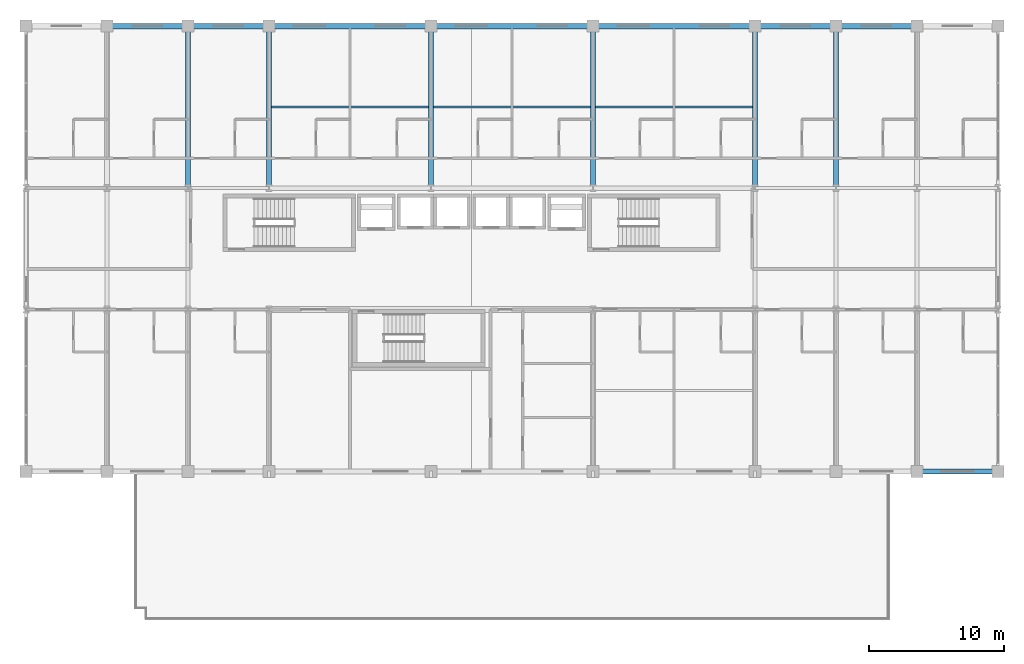
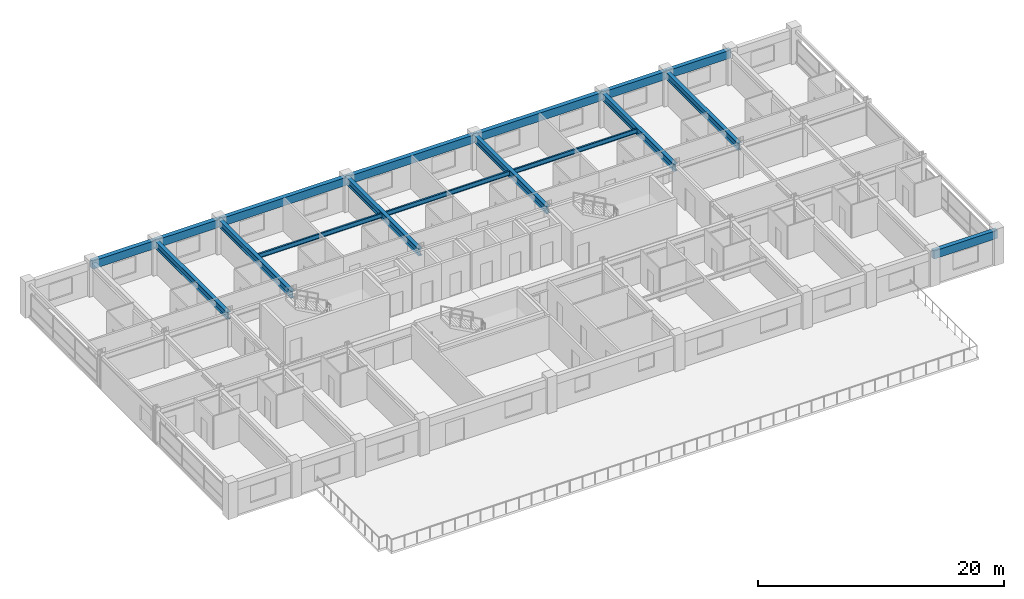
# One storey, part 11 of 24: 17 beams.
"""IFC4 building model written with IfcOpenShell, lengths in metres."""

from ifc_helpers import new_model, si_unit, direction, frame, origin, origin_2d, place, context, subcontext, project, spatial, rectangle, i_section, extrude, material, material_profile, profile_set, type_object, element, save


model = new_model("IFC4")

# Units and contexts
model_context = context("Model", 3, precision=1e-05, world=origin(), true_north=direction((0.0, 1.0)))
body_context = subcontext(model_context, "Body", "Model", "MODEL_VIEW")
ifc_project = project(units=[si_unit("LENGTHUNIT", "METRE"), si_unit("AREAUNIT", "SQUARE_METRE"), si_unit("VOLUMEUNIT", "CUBIC_METRE"), si_unit("PLANEANGLEUNIT", "RADIAN"), si_unit("MASSUNIT", "GRAM", prefix="KILO")], contexts=[model_context])

# Site, building, storey
site_placement = place(None, origin())
site = spatial("IfcSite", under=ifc_project, at=site_placement, CompositionType="ELEMENT")
building_placement = place(site_placement, origin())
building = spatial("IfcBuilding", under=site, at=building_placement, Name="Kaldorvane Square Convention Centre", CompositionType="ELEMENT")
storey_placement = place(building_placement, frame((0.0, 0.0, 27.600006103515625)))
storey = spatial("IfcBuildingStorey", under=building, at=storey_placement, Name="L05", CompositionType="ELEMENT", Elevation=27.600006103515625)

# Beams
ifc_material_1 = material(Name="Steel ASTM A992 Gr. 50", Category="steel")
ifc_material_profile_1 = material_profile(ifc_material_1, i_section(OverallWidth=0.354705810546875, OverallDepth=0.69549560546875, WebThickness=0.0153961181640625, FlangeThickness=0.0251007080078125, FilletRadius=0.01519775390625, at=origin_2d()), Name="W27X146")
ifc_profile_set_1 = profile_set([ifc_material_profile_1], Name="Steel ASTM A992 Gr. 50")
beam_type_1 = type_object("IfcBeamType", Name="BM-GR-W27X146", PredefinedType="BEAM", material=ifc_profile_set_1)
for number, where, z_axis, x_axis, name in (
    (1, (36.0, 105.0, 2.93829345703125), (0.0, 1.0, 0.0), (-1.0, 0.0, 0.0), "Transverse Girder (L05)"),
    (2, (42.0, 105.0, 2.93829345703125), (0.0, 1.0, 0.0), (-1.0, 0.0, 0.0), "Transverse Girder (L05)"),
    (3, (54.0, 105.0, 2.93829345703125), (0.0, 1.0, 0.0), (-1.0, 0.0, 0.0), "Transverse Girder (L05)"),
    (4, (66.0, 105.0, 2.93829345703125), (0.0, 1.0, 0.0), (-1.0, 0.0, 0.0), "Transverse Girder (L05)"),
    (5, (78.0, 105.0, 2.93829345703125), (0.0, 1.0, 0.0), (-1.0, 0.0, 0.0), "Transverse Girder (L05)"),
    (6, (84.0, 105.0, 2.93829345703125), (0.0, 1.0, 0.0), (-1.0, 0.0, 0.0), "Transverse Girder (L05)"),
):
    element("IfcBeam", number, at=place(storey_placement, frame(where, z_axis=z_axis, x_axis=x_axis)), inside=storey, type_object=beam_type_1, Name=name, PredefinedType="BEAM", context=body_context, shape_type="SweptSolid", body=[
        extrude(i_section(OverallWidth=0.354705810546875, OverallDepth=0.69549560546875, WebThickness=0.0153961181640625, FlangeThickness=0.0251007080078125, FilletRadius=0.01519775390625, at=origin_2d()), origin(), (0.0, 0.0, 1.0), 12.0),
    ])
ifc_material_profile_2 = material_profile(ifc_material_1, i_section(OverallWidth=0.152801513671875, OverallDepth=0.4546966552734375, WebThickness=0.00799560546875, FlangeThickness=0.0133056640625, FilletRadius=0.01019287109375, at=origin_2d()), Name="W18X40")
ifc_profile_set_2 = profile_set([ifc_material_profile_2], Name="Steel ASTM A992 Gr. 50")
beam_type_2 = type_object("IfcBeamType", Name="BM-JS-W18X40", PredefinedType="JOIST", material=ifc_profile_set_2)
beam_1_placement = place(storey_placement, frame((42.17730712890625, 111.0, 3.0587005615234375), z_axis=(1.0, 0.0, 0.0), x_axis=(0.0, 1.0, 0.0)))
element("IfcBeam", 7, at=beam_1_placement, inside=storey, type_object=beam_type_2, Name="Secondary Floor Joist (L05)", PredefinedType="JOIST", context=body_context, shape_type="SweptSolid", body=[
    extrude(i_section(OverallWidth=0.152801513671875, OverallDepth=0.4546966552734375, WebThickness=0.00799560546875, FlangeThickness=0.0133056640625, FilletRadius=0.01019287109375, at=origin_2d()), origin(), (0.0, 0.0, 1.0), 11.6453857421875),
])
beam_2_placement = place(storey_placement, frame((54.17730712890625, 111.0, 3.0587005615234375), z_axis=(1.0, 0.0, 0.0), x_axis=(0.0, 1.0, 0.0)))
element("IfcBeam", 8, at=beam_2_placement, inside=storey, type_object=beam_type_2, Name="Secondary Floor Joist (L05)", PredefinedType="JOIST", context=body_context, shape_type="SweptSolid", body=[
    extrude(i_section(OverallWidth=0.152801513671875, OverallDepth=0.4546966552734375, WebThickness=0.00799560546875, FlangeThickness=0.0133056640625, FilletRadius=0.01019287109375, at=origin_2d()), origin(), (0.0, 0.0, 1.0), 11.645294189453125),
])
beam_3_placement = place(storey_placement, frame((66.17739868164062, 111.0, 3.0587005615234375), z_axis=(1.0, 0.0, 0.0), x_axis=(0.0, 1.0, 0.0)))
element("IfcBeam", 9, at=beam_3_placement, inside=storey, type_object=beam_type_2, Name="Secondary Floor Joist (L05)", PredefinedType="JOIST", context=body_context, shape_type="SweptSolid", body=[
    extrude(i_section(OverallWidth=0.152801513671875, OverallDepth=0.4546966552734375, WebThickness=0.00799560546875, FlangeThickness=0.0133056640625, FilletRadius=0.01019287109375, at=origin_2d()), origin(), (0.0, 0.0, 1.0), 11.64520263671875),
])
ifc_material_2 = material(Name="Concrete f'c = 42 MPa (Normalweight)", Category="concrete")
ifc_material_profile_3 = material_profile(ifc_material_2, rectangle(XDim=0.399993896484375, YDim=0.8000030517578125, at=origin_2d()), Name="RCSP800X400")
ifc_profile_set_3 = profile_set([ifc_material_profile_3], Name="Concrete f'c = 42 MPa (Normalweight)")
beam_type_3 = type_object("IfcBeamType", Name="BM-SP-RC800", PredefinedType="SPANDREL", material=ifc_profile_set_3)
for number, where, z_axis, x_axis, name in (
    (10, (90.0, 84.0, 2.885986328125), (1.0, 0.0, 0.0), (0.0, 1.0, 0.0), "Perimeter Spandrel (L05)"),
    (11, (30.0, 117.0, 2.885986328125), (1.0, 0.0, 0.0), (0.0, 1.0, 0.0), "Perimeter Spandrel (L05)"),
    (12, (36.0, 117.0, 2.885986328125), (1.0, 0.0, 0.0), (0.0, 1.0, 0.0), "Perimeter Spandrel (L05)"),
):
    element("IfcBeam", number, at=place(storey_placement, frame(where, z_axis=z_axis, x_axis=x_axis)), inside=storey, type_object=beam_type_3, Name=name, PredefinedType="SPANDREL", context=body_context, shape_type="SweptSolid", body=[
        extrude(rectangle(XDim=0.399993896484375, YDim=0.8000030517578125, at=origin_2d()), origin(), (0.0, 0.0, 1.0), 6.0),
    ])
for number, where, z_axis, x_axis, name in (
    (13, (42.0, 117.0, 2.885986328125), (1.0, 0.0, 0.0), (0.0, 1.0, 0.0), "Perimeter Spandrel (L05)"),
    (14, (54.0, 117.0, 2.885986328125), (1.0, 0.0, 0.0), (0.0, 1.0, 0.0), "Perimeter Spandrel (L05)"),
    (15, (66.0, 117.0, 2.885986328125), (1.0, 0.0, 0.0), (0.0, 1.0, 0.0), "Perimeter Spandrel (L05)"),
):
    element("IfcBeam", number, at=place(storey_placement, frame(where, z_axis=z_axis, x_axis=x_axis)), inside=storey, type_object=beam_type_3, Name=name, PredefinedType="SPANDREL", context=body_context, shape_type="SweptSolid", body=[
        extrude(rectangle(XDim=0.399993896484375, YDim=0.8000030517578125, at=origin_2d()), origin(), (0.0, 0.0, 1.0), 12.0),
    ])
for number, where, z_axis, x_axis, name in (
    (16, (78.0, 117.0, 2.885986328125), (1.0, 0.0, 0.0), (0.0, 1.0, 0.0), "Perimeter Spandrel (L05)"),
    (17, (84.0, 117.0, 2.885986328125), (1.0, 0.0, 0.0), (0.0, 1.0, 0.0), "Perimeter Spandrel (L05)"),
):
    element("IfcBeam", number, at=place(storey_placement, frame(where, z_axis=z_axis, x_axis=x_axis)), inside=storey, type_object=beam_type_3, Name=name, PredefinedType="SPANDREL", context=body_context, shape_type="SweptSolid", body=[
        extrude(rectangle(XDim=0.399993896484375, YDim=0.8000030517578125, at=origin_2d()), origin(), (0.0, 0.0, 1.0), 6.0),
    ])

save(model, "model.ifc")
